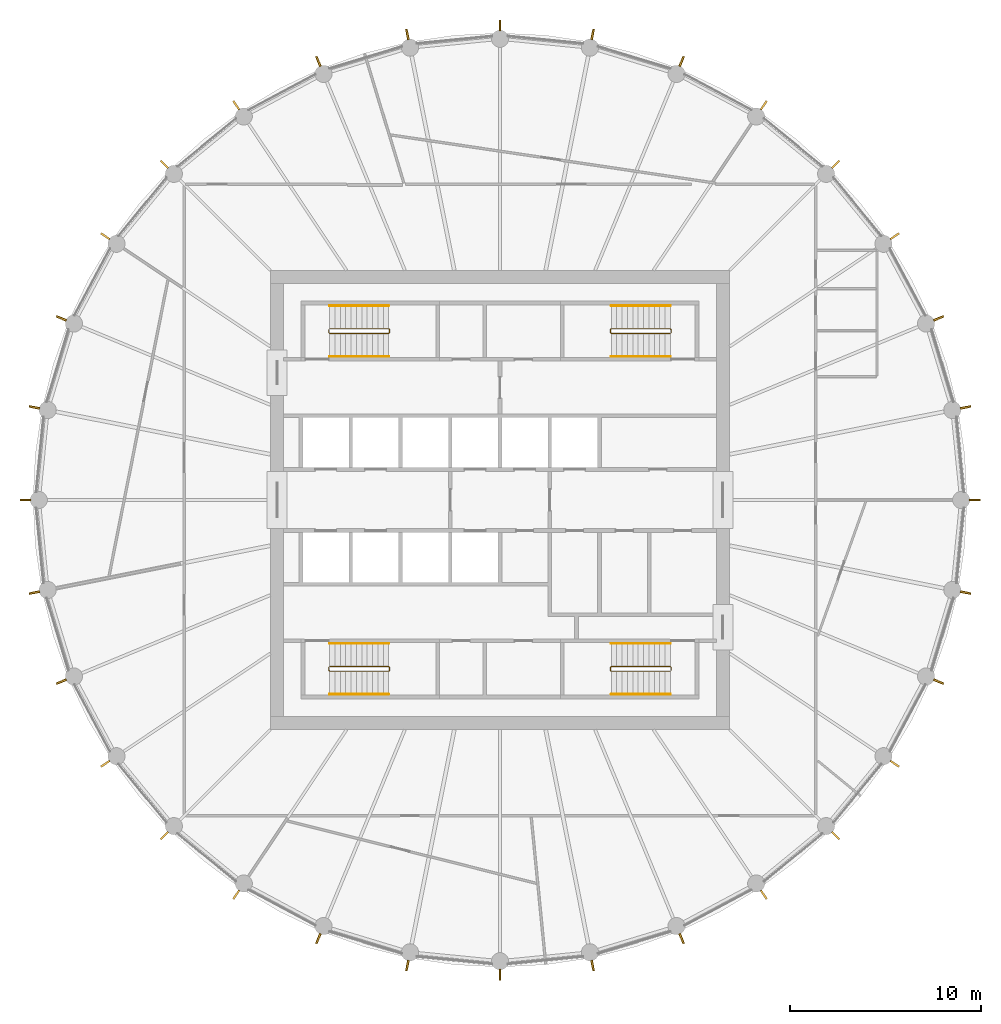
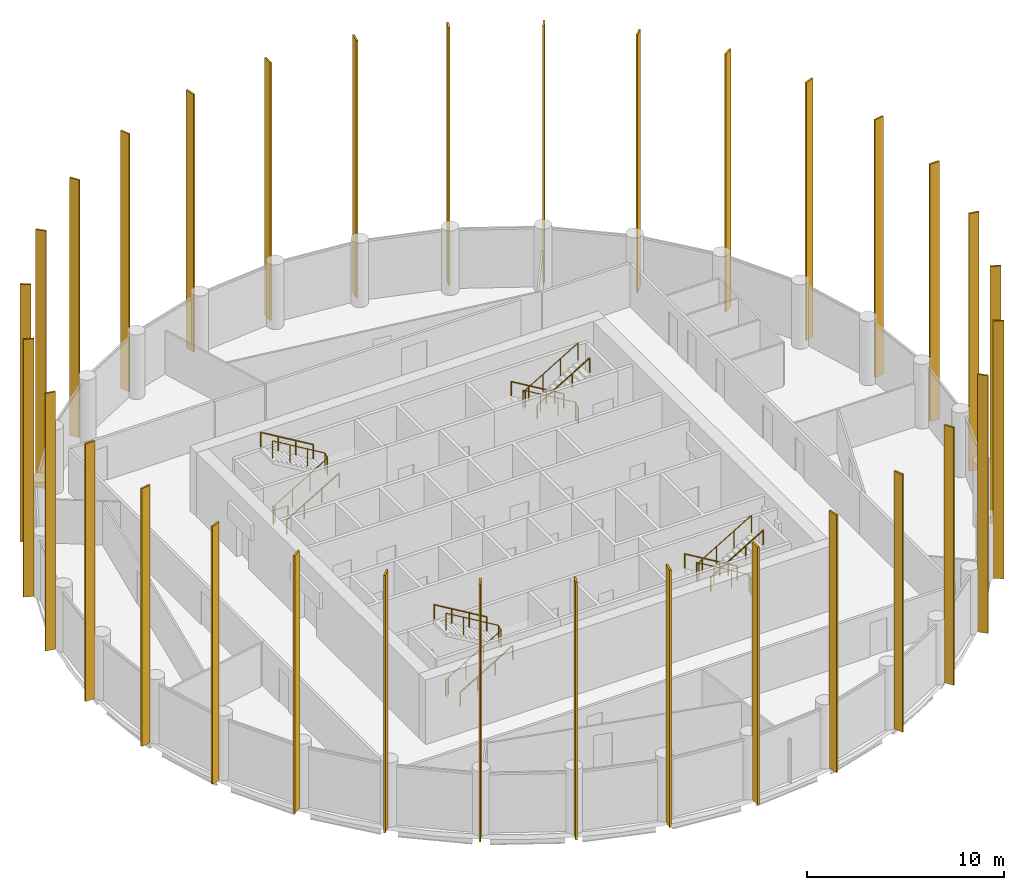
# One storey, part 7 of 7: 32 shading devices, 12 railings.
"""IFC4 building model written with IfcOpenShell, lengths in metres."""

from ifc_helpers import new_model, si_unit, direction, frame, origin, origin_2d, place, context, subcontext, project, spatial, rectangle, circle, extrude, material, material_profile, profile_set, type_object, element, save


model = new_model("IFC4")

# Units and contexts
model_context = context("Model", 3, precision=1e-05, world=origin(), true_north=direction((0.0, 1.0)))
body_context = subcontext(model_context, "Body", "Model", "MODEL_VIEW")
ifc_project = project(units=[si_unit("LENGTHUNIT", "METRE"), si_unit("AREAUNIT", "SQUARE_METRE"), si_unit("VOLUMEUNIT", "CUBIC_METRE"), si_unit("PLANEANGLEUNIT", "RADIAN"), si_unit("MASSUNIT", "GRAM", prefix="KILO")], contexts=[model_context])

# Site, building, storey
site_placement = place(None, origin())
site = spatial("IfcSite", under=ifc_project, at=site_placement, CompositionType="ELEMENT")
building_placement = place(site_placement, origin())
building = spatial("IfcBuilding", under=site, at=building_placement, Name="Corvane Civic Tower", CompositionType="ELEMENT")
storey_placement = place(building_placement, frame((0.0, 0.0, 295.0)))
storey = spatial("IfcBuildingStorey", under=building, at=storey_placement, Name="L70", CompositionType="ELEMENT", Elevation=295.0)

# Railings
ifc_material_1 = material(Name="Steel ASTM A572 Gr 50", Category="steel")
railing_type_1 = type_object("IfcRailingType", Name="ST-GUARD-1100", PredefinedType="GUARDRAIL", material=ifc_material_1)
railing_1_placement = place(storey_placement, frame((8.949951171875, 8.75, 0.0)))
element("IfcRailing", 1, at=railing_1_placement, inside=storey, type_object=railing_type_1, Name="L70 ST1 stair guard 1", PredefinedType="GUARDRAIL", context=body_context, shape_type="SweptSolid", body=[
    extrude(circle(Radius=0.02392578125, at=origin_2d()), frame((0.0, 0.0, 1.076171875), z_axis=(0.0, 1.0, 0.0), x_axis=(-1.0, 0.0, 0.0)), (0.0, 0.0, 1.0), 0.14990234375),
    extrude(circle(Radius=0.02392578125, at=origin_2d()), frame((0.0, 0.14990234375, 1.076171875), z_axis=(-0.27628659633, 0.27628659633, 0.920506074601), x_axis=(-0.707106781187, -0.707106781187, 0.0)), (0.0, 0.0, 1.0), 0.18115234375),
    extrude(circle(Radius=0.02392578125, at=origin_2d()), frame((-0.050048828125, 0.199951171875, 1.24267578125), z_axis=(-0.859290745958, 0.0, 0.51148745235), x_axis=(0.0, -1.0, 0.0)), (0.0, 0.0, 1.0), 3.584228515625),
    extrude(circle(Radius=0.02392578125, at=origin_2d()), frame((-3.1298828125, 0.199951171875, 3.076171875), z_axis=(-0.707106781187, -0.707106781187, 0.0), x_axis=(0.707106781187, -0.707106781187, 0.0)), (0.0, 0.0, 1.0), 0.07080078125),
    extrude(circle(Radius=0.02392578125, at=origin_2d()), frame((-3.179931640625, 0.14990234375, 3.076171875), z_axis=(0.0, -1.0, 0.0), x_axis=(1.0, 0.0, 0.0)), (0.0, 0.0, 1.0), 0.14990234375),
    extrude(circle(Radius=0.02392578125, at=origin_2d()), frame((-3.179931640625, 0.0, 3.076171875), z_axis=(0.27628659633, -0.27628659633, 0.920506074601), x_axis=(0.707106781187, 0.707106781187, 0.0)), (0.0, 0.0, 1.0), 0.18115234375),
    extrude(circle(Radius=0.02392578125, at=origin_2d()), frame((-3.1298828125, -0.050048828125, 3.24267578125), z_axis=(0.859290745958, 0.0, 0.51148745235), x_axis=(0.0, 1.0, 0.0)), (0.0, 0.0, 1.0), 3.584228515625),
    extrude(circle(Radius=0.02099609375, at=origin_2d()), origin(), (0.0, 0.0, 1.0), 1.052001953125),
    extrude(circle(Radius=0.02099609375, at=origin_2d()), frame((0.0, 0.14990234375, 0.0)), (0.0, 0.0, 1.0), 1.052001953125),
    extrude(circle(Radius=0.02099609375, at=origin_2d()), frame((-0.050048828125, 0.199951171875, 0.166748046875)), (0.0, 0.0, 1.0), 1.052001953125),
    extrude(circle(Radius=0.02099609375, at=origin_2d()), frame((-1.07666015625, 0.199951171875, 0.77783203125)), (0.0, 0.0, 1.0), 1.052001953125),
    extrude(circle(Radius=0.02099609375, at=origin_2d()), frame((-2.103271484375, 0.199951171875, 1.388916015625)), (0.0, 0.0, 1.0), 1.052001953125),
    extrude(circle(Radius=0.02099609375, at=origin_2d()), frame((-3.1298828125, 0.199951171875, 2.0)), (0.0, 0.0, 1.0), 1.052001953125),
    extrude(circle(Radius=0.02099609375, at=origin_2d()), frame((-3.179931640625, 0.14990234375, 2.0)), (0.0, 0.0, 1.0), 1.052001953125),
    extrude(circle(Radius=0.02099609375, at=origin_2d()), frame((-3.179931640625, 0.0, 2.0)), (0.0, 0.0, 1.0), 1.052001953125),
    extrude(circle(Radius=0.02099609375, at=origin_2d()), frame((-3.1298828125, -0.050048828125, 2.166748046875)), (0.0, 0.0, 1.0), 1.052001953125),
    extrude(circle(Radius=0.02099609375, at=origin_2d()), frame((-2.103271484375, -0.050048828125, 2.77783203125)), (0.0, 0.0, 1.0), 1.052001953125),
    extrude(circle(Radius=0.02099609375, at=origin_2d()), frame((-1.07666015625, -0.050048828125, 3.388916015625)), (0.0, 0.0, 1.0), 1.052001953125),
    extrude(circle(Radius=0.02099609375, at=origin_2d()), frame((-0.050048828125, -0.050048828125, 4.0)), (0.0, 0.0, 1.0), 1.052001953125),
])
railing_2_placement = place(storey_placement, frame((8.949951171875, -8.89990234375, 0.0)))
element("IfcRailing", 2, at=railing_2_placement, inside=storey, type_object=railing_type_1, Name="L70 ST2 stair guard 1", PredefinedType="GUARDRAIL", context=body_context, shape_type="SweptSolid", body=[
    extrude(circle(Radius=0.02392578125, at=origin_2d()), frame((0.0, 0.0, 1.076171875), z_axis=(0.0, 1.0, 0.0), x_axis=(-1.0, 0.0, 0.0)), (0.0, 0.0, 1.0), 0.14990234375),
    extrude(circle(Radius=0.02392578125, at=origin_2d()), frame((0.0, 0.14990234375, 1.076171875), z_axis=(-0.27628659633, 0.27628659633, 0.920506074601), x_axis=(-0.707106781187, -0.707106781187, 0.0)), (0.0, 0.0, 1.0), 0.18115234375),
    extrude(circle(Radius=0.02392578125, at=origin_2d()), frame((-0.050048828125, 0.199951171875, 1.24267578125), z_axis=(-0.859290745958, 0.0, 0.51148745235), x_axis=(0.0, -1.0, 0.0)), (0.0, 0.0, 1.0), 3.584228515625),
    extrude(circle(Radius=0.02392578125, at=origin_2d()), frame((-3.1298828125, 0.199951171875, 3.076171875), z_axis=(-0.707106781187, -0.707106781187, 0.0), x_axis=(0.707106781187, -0.707106781187, 0.0)), (0.0, 0.0, 1.0), 0.07080078125),
    extrude(circle(Radius=0.02392578125, at=origin_2d()), frame((-3.179931640625, 0.14990234375, 3.076171875), z_axis=(0.0, -1.0, 0.0), x_axis=(1.0, 0.0, 0.0)), (0.0, 0.0, 1.0), 0.14990234375),
    extrude(circle(Radius=0.02392578125, at=origin_2d()), frame((-3.179931640625, 0.0, 3.076171875), z_axis=(0.27628659633, -0.27628659633, 0.920506074601), x_axis=(0.707106781187, 0.707106781187, 0.0)), (0.0, 0.0, 1.0), 0.18115234375),
    extrude(circle(Radius=0.02392578125, at=origin_2d()), frame((-3.1298828125, -0.050048828125, 3.24267578125), z_axis=(0.859290745958, 0.0, 0.51148745235), x_axis=(0.0, 1.0, 0.0)), (0.0, 0.0, 1.0), 3.584228515625),
    extrude(circle(Radius=0.02099609375, at=origin_2d()), origin(), (0.0, 0.0, 1.0), 1.052001953125),
    extrude(circle(Radius=0.02099609375, at=origin_2d()), frame((0.0, 0.14990234375, 0.0)), (0.0, 0.0, 1.0), 1.052001953125),
    extrude(circle(Radius=0.02099609375, at=origin_2d()), frame((-0.050048828125, 0.199951171875, 0.166748046875)), (0.0, 0.0, 1.0), 1.052001953125),
    extrude(circle(Radius=0.02099609375, at=origin_2d()), frame((-1.07666015625, 0.199951171875, 0.77783203125)), (0.0, 0.0, 1.0), 1.052001953125),
    extrude(circle(Radius=0.02099609375, at=origin_2d()), frame((-2.103271484375, 0.199951171875, 1.388916015625)), (0.0, 0.0, 1.0), 1.052001953125),
    extrude(circle(Radius=0.02099609375, at=origin_2d()), frame((-3.1298828125, 0.199951171875, 2.0)), (0.0, 0.0, 1.0), 1.052001953125),
    extrude(circle(Radius=0.02099609375, at=origin_2d()), frame((-3.179931640625, 0.14990234375, 2.0)), (0.0, 0.0, 1.0), 1.052001953125),
    extrude(circle(Radius=0.02099609375, at=origin_2d()), frame((-3.179931640625, 0.0, 2.0)), (0.0, 0.0, 1.0), 1.052001953125),
    extrude(circle(Radius=0.02099609375, at=origin_2d()), frame((-3.1298828125, -0.050048828125, 2.166748046875)), (0.0, 0.0, 1.0), 1.052001953125),
    extrude(circle(Radius=0.02099609375, at=origin_2d()), frame((-2.103271484375, -0.050048828125, 2.77783203125)), (0.0, 0.0, 1.0), 1.052001953125),
    extrude(circle(Radius=0.02099609375, at=origin_2d()), frame((-1.07666015625, -0.050048828125, 3.388916015625)), (0.0, 0.0, 1.0), 1.052001953125),
    extrude(circle(Radius=0.02099609375, at=origin_2d()), frame((-0.050048828125, -0.050048828125, 4.0)), (0.0, 0.0, 1.0), 1.052001953125),
])
railing_3_placement = place(storey_placement, frame((-8.949951171875, -8.75, 0.0)))
element("IfcRailing", 3, at=railing_3_placement, inside=storey, type_object=railing_type_1, Name="L70 ST3 stair guard 1", PredefinedType="GUARDRAIL", context=body_context, shape_type="SweptSolid", body=[
    extrude(circle(Radius=0.02392578125, at=origin_2d()), frame((0.0, 0.0, 1.076171875), z_axis=(0.0, -1.0, 0.0), x_axis=(1.0, 0.0, 0.0)), (0.0, 0.0, 1.0), 0.14990234375),
    extrude(circle(Radius=0.02392578125, at=origin_2d()), frame((0.0, -0.14990234375, 1.076171875), z_axis=(0.27628659633, -0.27628659633, 0.920506074601), x_axis=(0.707106781187, 0.707106781187, 0.0)), (0.0, 0.0, 1.0), 0.18115234375),
    extrude(circle(Radius=0.02392578125, at=origin_2d()), frame((0.050048828125, -0.199951171875, 1.24267578125), z_axis=(0.859290745958, 0.0, 0.51148745235), x_axis=(0.0, 1.0, 0.0)), (0.0, 0.0, 1.0), 3.584228515625),
    extrude(circle(Radius=0.02392578125, at=origin_2d()), frame((3.1298828125, -0.199951171875, 3.076171875), z_axis=(0.707106781187, 0.707106781187, 0.0), x_axis=(-0.707106781187, 0.707106781187, 0.0)), (0.0, 0.0, 1.0), 0.07080078125),
    extrude(circle(Radius=0.02392578125, at=origin_2d()), frame((3.179931640625, -0.14990234375, 3.076171875), z_axis=(0.0, 1.0, 0.0), x_axis=(-1.0, 0.0, 0.0)), (0.0, 0.0, 1.0), 0.14990234375),
    extrude(circle(Radius=0.02392578125, at=origin_2d()), frame((3.179931640625, 0.0, 3.076171875), z_axis=(-0.27628659633, 0.27628659633, 0.920506074601), x_axis=(-0.707106781187, -0.707106781187, 0.0)), (0.0, 0.0, 1.0), 0.18115234375),
    extrude(circle(Radius=0.02392578125, at=origin_2d()), frame((3.1298828125, 0.050048828125, 3.24267578125), z_axis=(-0.859290745958, 0.0, 0.51148745235), x_axis=(0.0, -1.0, 0.0)), (0.0, 0.0, 1.0), 3.584228515625),
    extrude(circle(Radius=0.02099609375, at=origin_2d()), origin(), (0.0, 0.0, 1.0), 1.052001953125),
    extrude(circle(Radius=0.02099609375, at=origin_2d()), frame((0.0, -0.14990234375, 0.0)), (0.0, 0.0, 1.0), 1.052001953125),
    extrude(circle(Radius=0.02099609375, at=origin_2d()), frame((0.050048828125, -0.199951171875, 0.166748046875)), (0.0, 0.0, 1.0), 1.052001953125),
    extrude(circle(Radius=0.02099609375, at=origin_2d()), frame((1.07666015625, -0.199951171875, 0.77783203125)), (0.0, 0.0, 1.0), 1.052001953125),
    extrude(circle(Radius=0.02099609375, at=origin_2d()), frame((2.103271484375, -0.199951171875, 1.388916015625)), (0.0, 0.0, 1.0), 1.052001953125),
    extrude(circle(Radius=0.02099609375, at=origin_2d()), frame((3.1298828125, -0.199951171875, 2.0)), (0.0, 0.0, 1.0), 1.052001953125),
    extrude(circle(Radius=0.02099609375, at=origin_2d()), frame((3.179931640625, -0.14990234375, 2.0)), (0.0, 0.0, 1.0), 1.052001953125),
    extrude(circle(Radius=0.02099609375, at=origin_2d()), frame((3.179931640625, 0.0, 2.0)), (0.0, 0.0, 1.0), 1.052001953125),
    extrude(circle(Radius=0.02099609375, at=origin_2d()), frame((3.1298828125, 0.050048828125, 2.166748046875)), (0.0, 0.0, 1.0), 1.052001953125),
    extrude(circle(Radius=0.02099609375, at=origin_2d()), frame((2.103271484375, 0.050048828125, 2.77783203125)), (0.0, 0.0, 1.0), 1.052001953125),
    extrude(circle(Radius=0.02099609375, at=origin_2d()), frame((1.07666015625, 0.050048828125, 3.388916015625)), (0.0, 0.0, 1.0), 1.052001953125),
    extrude(circle(Radius=0.02099609375, at=origin_2d()), frame((0.050048828125, 0.050048828125, 4.0)), (0.0, 0.0, 1.0), 1.052001953125),
])
railing_4_placement = place(storey_placement, frame((-8.949951171875, 8.89990234375, 0.0)))
element("IfcRailing", 4, at=railing_4_placement, inside=storey, type_object=railing_type_1, Name="L70 ST4 stair guard 1", PredefinedType="GUARDRAIL", context=body_context, shape_type="SweptSolid", body=[
    extrude(circle(Radius=0.02392578125, at=origin_2d()), frame((0.0, 0.0, 1.076171875), z_axis=(0.0, -1.0, 0.0), x_axis=(1.0, 0.0, 0.0)), (0.0, 0.0, 1.0), 0.14990234375),
    extrude(circle(Radius=0.02392578125, at=origin_2d()), frame((0.0, -0.14990234375, 1.076171875), z_axis=(0.27628659633, -0.27628659633, 0.920506074601), x_axis=(0.707106781187, 0.707106781187, 0.0)), (0.0, 0.0, 1.0), 0.18115234375),
    extrude(circle(Radius=0.02392578125, at=origin_2d()), frame((0.050048828125, -0.199951171875, 1.24267578125), z_axis=(0.859290745958, 0.0, 0.51148745235), x_axis=(0.0, 1.0, 0.0)), (0.0, 0.0, 1.0), 3.584228515625),
    extrude(circle(Radius=0.02392578125, at=origin_2d()), frame((3.1298828125, -0.199951171875, 3.076171875), z_axis=(0.707106781187, 0.707106781187, 0.0), x_axis=(-0.707106781187, 0.707106781187, 0.0)), (0.0, 0.0, 1.0), 0.07080078125),
    extrude(circle(Radius=0.02392578125, at=origin_2d()), frame((3.179931640625, -0.14990234375, 3.076171875), z_axis=(0.0, 1.0, 0.0), x_axis=(-1.0, 0.0, 0.0)), (0.0, 0.0, 1.0), 0.14990234375),
    extrude(circle(Radius=0.02392578125, at=origin_2d()), frame((3.179931640625, 0.0, 3.076171875), z_axis=(-0.27628659633, 0.27628659633, 0.920506074601), x_axis=(-0.707106781187, -0.707106781187, 0.0)), (0.0, 0.0, 1.0), 0.18115234375),
    extrude(circle(Radius=0.02392578125, at=origin_2d()), frame((3.1298828125, 0.050048828125, 3.24267578125), z_axis=(-0.859290745958, 0.0, 0.51148745235), x_axis=(0.0, -1.0, 0.0)), (0.0, 0.0, 1.0), 3.584228515625),
    extrude(circle(Radius=0.02099609375, at=origin_2d()), origin(), (0.0, 0.0, 1.0), 1.052001953125),
    extrude(circle(Radius=0.02099609375, at=origin_2d()), frame((0.0, -0.14990234375, 0.0)), (0.0, 0.0, 1.0), 1.052001953125),
    extrude(circle(Radius=0.02099609375, at=origin_2d()), frame((0.050048828125, -0.199951171875, 0.166748046875)), (0.0, 0.0, 1.0), 1.052001953125),
    extrude(circle(Radius=0.02099609375, at=origin_2d()), frame((1.07666015625, -0.199951171875, 0.77783203125)), (0.0, 0.0, 1.0), 1.052001953125),
    extrude(circle(Radius=0.02099609375, at=origin_2d()), frame((2.103271484375, -0.199951171875, 1.388916015625)), (0.0, 0.0, 1.0), 1.052001953125),
    extrude(circle(Radius=0.02099609375, at=origin_2d()), frame((3.1298828125, -0.199951171875, 2.0)), (0.0, 0.0, 1.0), 1.052001953125),
    extrude(circle(Radius=0.02099609375, at=origin_2d()), frame((3.179931640625, -0.14990234375, 2.0)), (0.0, 0.0, 1.0), 1.052001953125),
    extrude(circle(Radius=0.02099609375, at=origin_2d()), frame((3.179931640625, 0.0, 2.0)), (0.0, 0.0, 1.0), 1.052001953125),
    extrude(circle(Radius=0.02099609375, at=origin_2d()), frame((3.1298828125, 0.050048828125, 2.166748046875)), (0.0, 0.0, 1.0), 1.052001953125),
    extrude(circle(Radius=0.02099609375, at=origin_2d()), frame((2.103271484375, 0.050048828125, 2.77783203125)), (0.0, 0.0, 1.0), 1.052001953125),
    extrude(circle(Radius=0.02099609375, at=origin_2d()), frame((1.07666015625, 0.050048828125, 3.388916015625)), (0.0, 0.0, 1.0), 1.052001953125),
    extrude(circle(Radius=0.02099609375, at=origin_2d()), frame((0.050048828125, 0.050048828125, 4.0)), (0.0, 0.0, 1.0), 1.052001953125),
])
ifc_material_2 = material(Name="Steel ASTM A572 Gr 50", Category="steel")
railing_type_2 = type_object("IfcRailingType", Name="ST-HANDRAIL-900", PredefinedType="HANDRAIL", material=ifc_material_2)
railing_5_placement = place(storey_placement, frame((8.89990234375, 10.14990234375, 0.166748046875)))
element("IfcRailing", 5, at=railing_5_placement, inside=storey, type_object=railing_type_2, Name="L70 ST1 stair handrail 1", PredefinedType="HANDRAIL", context=body_context, shape_type="SweptSolid", body=[
    extrude(circle(Radius=0.02392578125, at=origin_2d()), frame((0.0, 0.0, 0.8759765625), z_axis=(-0.859290745958, 0.0, 0.51148745235), x_axis=(0.0, -1.0, 0.0)), (0.0, 0.0, 1.0), 3.584228515625),
    extrude(circle(Radius=0.02099609375, at=origin_2d()), origin(), (0.0, 0.0, 1.0), 0.851806640625),
    extrude(circle(Radius=0.02099609375, at=origin_2d()), frame((-1.026611328125, 0.0, 0.611083984375)), (0.0, 0.0, 1.0), 0.851806640625),
    extrude(circle(Radius=0.02099609375, at=origin_2d()), frame((-2.05322265625, 0.0, 1.22216796875)), (0.0, 0.0, 1.0), 0.851806640625),
    extrude(circle(Radius=0.02099609375, at=origin_2d()), frame((-3.079833984375, 0.0, 1.833251953125)), (0.0, 0.0, 1.0), 0.851806640625),
])
railing_6_placement = place(storey_placement, frame((5.820068359375, 7.5, 2.166748046875)))
element("IfcRailing", 6, at=railing_6_placement, inside=storey, type_object=railing_type_2, Name="L70 ST1 stair handrail 2", PredefinedType="HANDRAIL", context=body_context, shape_type="SweptSolid", body=[
    extrude(circle(Radius=0.02392578125, at=origin_2d()), frame((0.0, 0.0, 0.8759765625), z_axis=(0.859290745958, 0.0, 0.51148745235), x_axis=(0.0, 1.0, 0.0)), (0.0, 0.0, 1.0), 3.584228515625),
    extrude(circle(Radius=0.02099609375, at=origin_2d()), origin(), (0.0, 0.0, 1.0), 0.851806640625),
    extrude(circle(Radius=0.02099609375, at=origin_2d()), frame((1.026611328125, 0.0, 0.611083984375)), (0.0, 0.0, 1.0), 0.851806640625),
    extrude(circle(Radius=0.02099609375, at=origin_2d()), frame((2.05322265625, 0.0, 1.22216796875)), (0.0, 0.0, 1.0), 0.851806640625),
    extrude(circle(Radius=0.02099609375, at=origin_2d()), frame((3.079833984375, 0.0, 1.833251953125)), (0.0, 0.0, 1.0), 0.851806640625),
])
railing_7_placement = place(storey_placement, frame((8.89990234375, -7.5, 0.166748046875)))
element("IfcRailing", 7, at=railing_7_placement, inside=storey, type_object=railing_type_2, Name="L70 ST2 stair handrail 1", PredefinedType="HANDRAIL", context=body_context, shape_type="SweptSolid", body=[
    extrude(circle(Radius=0.02392578125, at=origin_2d()), frame((0.0, 0.0, 0.8759765625), z_axis=(-0.859290745958, 0.0, 0.51148745235), x_axis=(0.0, -1.0, 0.0)), (0.0, 0.0, 1.0), 3.584228515625),
    extrude(circle(Radius=0.02099609375, at=origin_2d()), origin(), (0.0, 0.0, 1.0), 0.851806640625),
    extrude(circle(Radius=0.02099609375, at=origin_2d()), frame((-1.026611328125, 0.0, 0.611083984375)), (0.0, 0.0, 1.0), 0.851806640625),
    extrude(circle(Radius=0.02099609375, at=origin_2d()), frame((-2.05322265625, 0.0, 1.22216796875)), (0.0, 0.0, 1.0), 0.851806640625),
    extrude(circle(Radius=0.02099609375, at=origin_2d()), frame((-3.079833984375, 0.0, 1.833251953125)), (0.0, 0.0, 1.0), 0.851806640625),
])
for number, where, name in (
    (8, (5.820068359375, -10.14990234375, 2.166748046875), "L70 ST2 stair handrail 2"),
    (9, (-8.89990234375, -10.14990234375, 0.166748046875), "L70 ST3 stair handrail 1"),
):
    element("IfcRailing", number, at=place(storey_placement, frame(where)), inside=storey, type_object=railing_type_2, Name=name, PredefinedType="HANDRAIL", context=body_context, shape_type="SweptSolid", body=[
        extrude(circle(Radius=0.02392578125, at=origin_2d()), frame((0.0, 0.0, 0.8759765625), z_axis=(0.859290745958, 0.0, 0.51148745235), x_axis=(0.0, 1.0, 0.0)), (0.0, 0.0, 1.0), 3.584228515625),
        extrude(circle(Radius=0.02099609375, at=origin_2d()), origin(), (0.0, 0.0, 1.0), 0.851806640625),
        extrude(circle(Radius=0.02099609375, at=origin_2d()), frame((1.026611328125, 0.0, 0.611083984375)), (0.0, 0.0, 1.0), 0.851806640625),
        extrude(circle(Radius=0.02099609375, at=origin_2d()), frame((2.05322265625, 0.0, 1.22216796875)), (0.0, 0.0, 1.0), 0.851806640625),
        extrude(circle(Radius=0.02099609375, at=origin_2d()), frame((3.079833984375, 0.0, 1.833251953125)), (0.0, 0.0, 1.0), 0.851806640625),
    ])
railing_8_placement = place(storey_placement, frame((-5.820068359375, -7.5, 2.166748046875)))
element("IfcRailing", 10, at=railing_8_placement, inside=storey, type_object=railing_type_2, Name="L70 ST3 stair handrail 2", PredefinedType="HANDRAIL", context=body_context, shape_type="SweptSolid", body=[
    extrude(circle(Radius=0.02392578125, at=origin_2d()), frame((0.0, 0.0, 0.8759765625), z_axis=(-0.859290745958, 0.0, 0.51148745235), x_axis=(0.0, -1.0, 0.0)), (0.0, 0.0, 1.0), 3.584228515625),
    extrude(circle(Radius=0.02099609375, at=origin_2d()), origin(), (0.0, 0.0, 1.0), 0.851806640625),
    extrude(circle(Radius=0.02099609375, at=origin_2d()), frame((-1.026611328125, 0.0, 0.611083984375)), (0.0, 0.0, 1.0), 0.851806640625),
    extrude(circle(Radius=0.02099609375, at=origin_2d()), frame((-2.05322265625, 0.0, 1.22216796875)), (0.0, 0.0, 1.0), 0.851806640625),
    extrude(circle(Radius=0.02099609375, at=origin_2d()), frame((-3.079833984375, 0.0, 1.833251953125)), (0.0, 0.0, 1.0), 0.851806640625),
])
railing_9_placement = place(storey_placement, frame((-8.89990234375, 7.5, 0.166748046875)))
element("IfcRailing", 11, at=railing_9_placement, inside=storey, type_object=railing_type_2, Name="L70 ST4 stair handrail 1", PredefinedType="HANDRAIL", context=body_context, shape_type="SweptSolid", body=[
    extrude(circle(Radius=0.02392578125, at=origin_2d()), frame((0.0, 0.0, 0.8759765625), z_axis=(0.859290745958, 0.0, 0.51148745235), x_axis=(0.0, 1.0, 0.0)), (0.0, 0.0, 1.0), 3.584228515625),
    extrude(circle(Radius=0.02099609375, at=origin_2d()), origin(), (0.0, 0.0, 1.0), 0.851806640625),
    extrude(circle(Radius=0.02099609375, at=origin_2d()), frame((1.026611328125, 0.0, 0.611083984375)), (0.0, 0.0, 1.0), 0.851806640625),
    extrude(circle(Radius=0.02099609375, at=origin_2d()), frame((2.05322265625, 0.0, 1.22216796875)), (0.0, 0.0, 1.0), 0.851806640625),
    extrude(circle(Radius=0.02099609375, at=origin_2d()), frame((3.079833984375, 0.0, 1.833251953125)), (0.0, 0.0, 1.0), 0.851806640625),
])
railing_10_placement = place(storey_placement, frame((-5.820068359375, 10.14990234375, 2.166748046875)))
element("IfcRailing", 12, at=railing_10_placement, inside=storey, type_object=railing_type_2, Name="L70 ST4 stair handrail 2", PredefinedType="HANDRAIL", context=body_context, shape_type="SweptSolid", body=[
    extrude(circle(Radius=0.02392578125, at=origin_2d()), frame((0.0, 0.0, 0.8759765625), z_axis=(-0.859290745958, 0.0, 0.51148745235), x_axis=(0.0, -1.0, 0.0)), (0.0, 0.0, 1.0), 3.584228515625),
    extrude(circle(Radius=0.02099609375, at=origin_2d()), origin(), (0.0, 0.0, 1.0), 0.851806640625),
    extrude(circle(Radius=0.02099609375, at=origin_2d()), frame((-1.026611328125, 0.0, 0.611083984375)), (0.0, 0.0, 1.0), 0.851806640625),
    extrude(circle(Radius=0.02099609375, at=origin_2d()), frame((-2.05322265625, 0.0, 1.22216796875)), (0.0, 0.0, 1.0), 0.851806640625),
    extrude(circle(Radius=0.02099609375, at=origin_2d()), frame((-3.079833984375, 0.0, 1.833251953125)), (0.0, 0.0, 1.0), 0.851806640625),
])

# Shading devices
ifc_material_3 = material(Name="Anodised aluminium bronze", Category="aluminium")
ifc_material_profile = material_profile(ifc_material_3, rectangle(XDim=0.10009765625, YDim=0.550048828125, at=origin_2d()), Name="TOWER FIN STACK 100x550 BRONZE")
ifc_profile_set = profile_set([ifc_material_profile], Name="Anodised aluminium bronze")
shading_device_type = type_object("IfcShadingDeviceType", Name="TOWER FIN STACK 100x550 BRONZE", PredefinedType="USERDEFINED", material=ifc_profile_set)
for number, where, z_axis, x_axis, name in (
    (13, (0.0, 24.804931640625, 0.0), (0.0, 0.0, 1.0), (1.0, 0.0, 0.0), "Fin 01 L70 to L73"),
    (14, (4.839111328125, 24.328369140625, 0.0), (0.0, 0.0, 1.0), (0.980785280403, -0.195090322016, 0.0), "Fin 02 L70 to L73"),
    (15, (9.492431640625, 22.916748046875, 0.0), (0.0, 0.0, 1.0), (0.923879532511, -0.382683432365, 0.0), "Fin 03 L70 to L73"),
    (16, (13.781005859375, 20.62451171875, 0.0), (0.0, 0.0, 1.0), (0.831469612303, -0.55557023302, 0.0), "Fin 04 L70 to L73"),
    (17, (17.539794921875, 17.539794921875, 0.0), (0.0, 0.0, 1.0), (0.707106781187, -0.707106781187, 0.0), "Fin 05 L70 to L73"),
    (18, (20.62451171875, 13.781005859375, 0.0), (0.0, 0.0, 1.0), (0.55557023302, -0.831469612303, 0.0), "Fin 06 L70 to L73"),
    (19, (22.916748046875, 9.492431640625, 0.0), (0.0, 0.0, 1.0), (0.382683432365, -0.923879532511, 0.0), "Fin 07 L70 to L73"),
    (20, (24.328369140625, 4.839111328125, 0.0), (0.0, 0.0, 1.0), (0.195090322016, -0.980785280403, 0.0), "Fin 08 L70 to L73"),
    (21, (24.804931640625, 0.0, 0.0), (0.0, 0.0, 1.0), (0.0, -1.0, 0.0), "Fin 09 L70 to L73"),
    (22, (24.328369140625, -4.839111328125, 0.0), (0.0, 0.0, 1.0), (-0.195090322016, -0.980785280403, 0.0), "Fin 10 L70 to L73"),
    (23, (22.916748046875, -9.492431640625, 0.0), (0.0, 0.0, 1.0), (-0.382683432365, -0.923879532511, 0.0), "Fin 11 L70 to L73"),
    (24, (20.62451171875, -13.781005859375, 0.0), (0.0, 0.0, 1.0), (-0.55557023302, -0.831469612303, 0.0), "Fin 12 L70 to L73"),
    (25, (17.539794921875, -17.539794921875, 0.0), (0.0, 0.0, 1.0), (-0.707106781187, -0.707106781187, 0.0), "Fin 13 L70 to L73"),
    (26, (13.781005859375, -20.62451171875, 0.0), (0.0, 0.0, 1.0), (-0.831469612303, -0.55557023302, 0.0), "Fin 14 L70 to L73"),
    (27, (9.492431640625, -22.916748046875, 0.0), (0.0, 0.0, 1.0), (-0.923879532511, -0.382683432365, 0.0), "Fin 15 L70 to L73"),
    (28, (4.839111328125, -24.328369140625, 0.0), (0.0, 0.0, 1.0), (-0.980785280403, -0.195090322016, 0.0), "Fin 16 L70 to L73"),
    (29, (0.0, -24.804931640625, 0.0), (0.0, 0.0, 1.0), (-1.0, 0.0, 0.0), "Fin 17 L70 to L73"),
    (30, (-4.839111328125, -24.328369140625, 0.0), (0.0, 0.0, 1.0), (-0.980785280403, 0.195090322016, 0.0), "Fin 18 L70 to L73"),
    (31, (-9.492431640625, -22.916748046875, 0.0), (0.0, 0.0, 1.0), (-0.923879532511, 0.382683432365, 0.0), "Fin 19 L70 to L73"),
    (32, (-13.781005859375, -20.62451171875, 0.0), (0.0, 0.0, 1.0), (-0.831469612303, 0.55557023302, 0.0), "Fin 20 L70 to L73"),
    (33, (-17.539794921875, -17.539794921875, 0.0), (0.0, 0.0, 1.0), (-0.707106781187, 0.707106781187, 0.0), "Fin 21 L70 to L73"),
    (34, (-20.62451171875, -13.781005859375, 0.0), (0.0, 0.0, 1.0), (-0.55557023302, 0.831469612303, 0.0), "Fin 22 L70 to L73"),
    (35, (-22.916748046875, -9.492431640625, 0.0), (0.0, 0.0, 1.0), (-0.382683432365, 0.923879532511, 0.0), "Fin 23 L70 to L73"),
    (36, (-24.328369140625, -4.839111328125, 0.0), (0.0, 0.0, 1.0), (-0.195090322016, 0.980785280403, 0.0), "Fin 24 L70 to L73"),
    (37, (-24.804931640625, 0.0, 0.0), (0.0, 0.0, 1.0), (0.0, 1.0, 0.0), "Fin 25 L70 to L73"),
    (38, (-24.328369140625, 4.839111328125, 0.0), (0.0, 0.0, 1.0), (0.195090322016, 0.980785280403, 0.0), "Fin 26 L70 to L73"),
    (39, (-22.916748046875, 9.492431640625, 0.0), (0.0, 0.0, 1.0), (0.382683432365, 0.923879532511, 0.0), "Fin 27 L70 to L73"),
    (40, (-20.62451171875, 13.781005859375, 0.0), (0.0, 0.0, 1.0), (0.55557023302, 0.831469612303, 0.0), "Fin 28 L70 to L73"),
    (41, (-17.539794921875, 17.539794921875, 0.0), (0.0, 0.0, 1.0), (0.707106781187, 0.707106781187, 0.0), "Fin 29 L70 to L73"),
    (42, (-13.781005859375, 20.62451171875, 0.0), (0.0, 0.0, 1.0), (0.831469612303, 0.55557023302, 0.0), "Fin 30 L70 to L73"),
    (43, (-9.492431640625, 22.916748046875, 0.0), (0.0, 0.0, 1.0), (0.923879532511, 0.382683432365, 0.0), "Fin 31 L70 to L73"),
    (44, (-4.839111328125, 24.328369140625, 0.0), (0.0, 0.0, 1.0), (0.980785280403, 0.195090322016, 0.0), "Fin 32 L70 to L73"),
):
    element("IfcShadingDevice", number, at=place(storey_placement, frame(where, z_axis=z_axis, x_axis=x_axis)), inside=storey, type_object=shading_device_type, Name=name, ObjectType="FIN", PredefinedType="USERDEFINED", context=body_context, shape_type="SweptSolid", body=[
        extrude(rectangle(XDim=0.10009765625, YDim=0.550048828125, at=origin_2d()), origin(), (0.0, 0.0, 1.0), 16.0),
    ])

save(model, "model.ifc")
